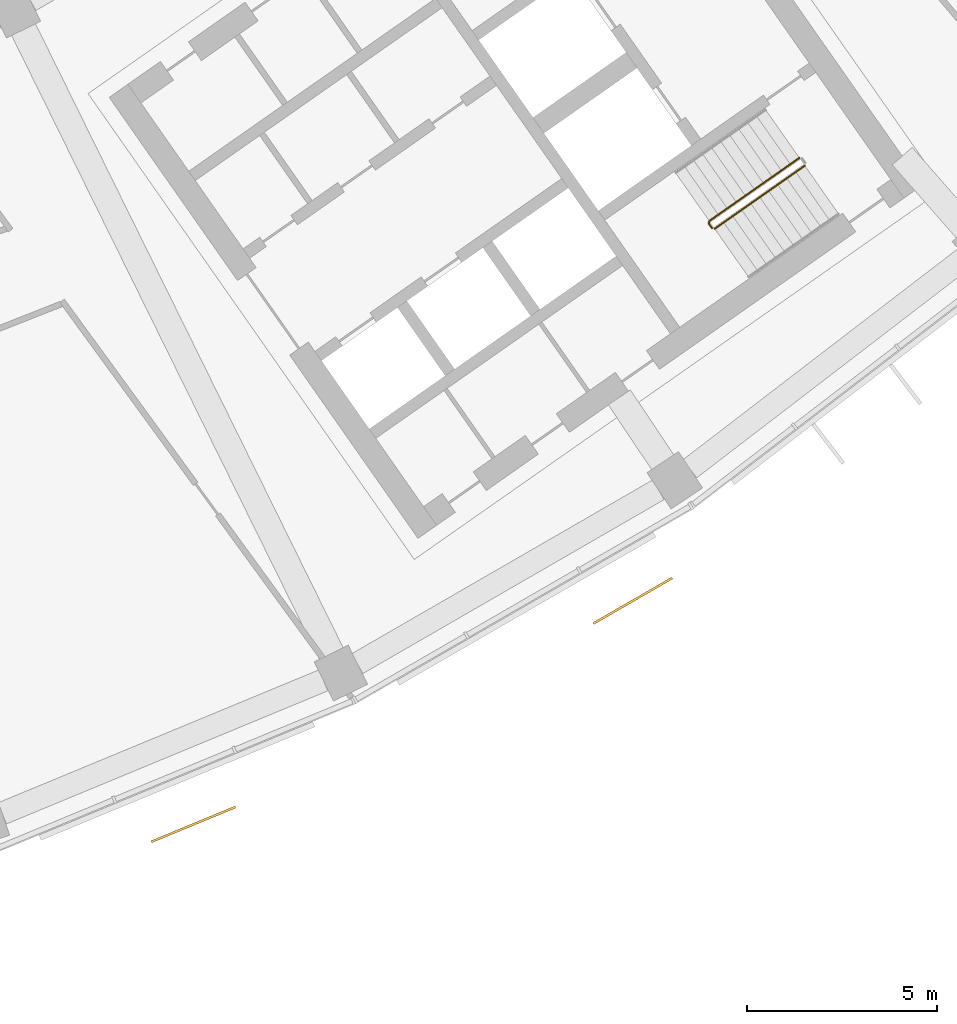
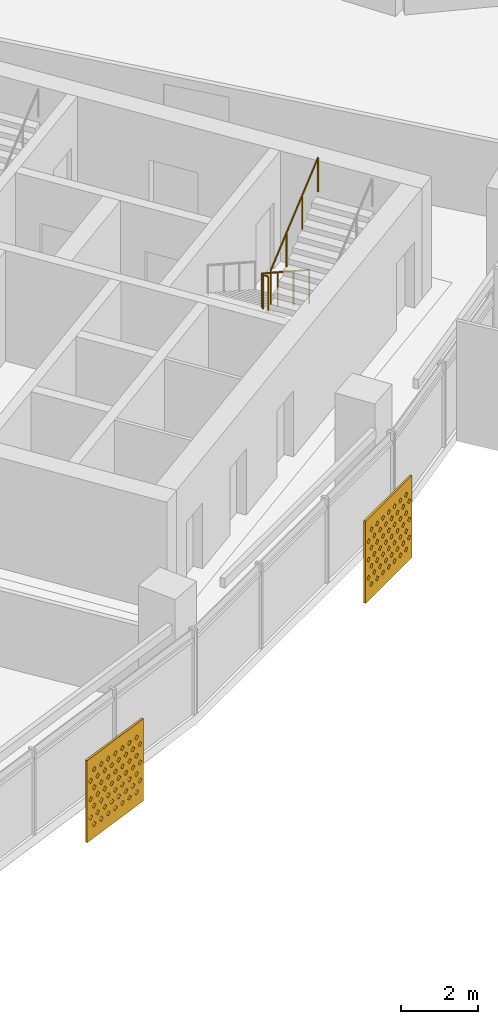
# One storey, part 26 of 27: 2 railings, 2 shading devices.
"""IFC4 building model written with IfcOpenShell, lengths in metres."""

from ifc_helpers import new_model, si_unit, direction, frame, origin, origin_2d, place, context, subcontext, project, spatial, polyline, circle, outline, extrude, material, material_profile, profile_set, type_object, element, save


model = new_model("IFC4")

# Units and contexts
model_context = context("Model", 3, precision=1e-05, world=origin(), true_north=direction((0.0, 1.0)))
body_context = subcontext(model_context, "Body", "Model", "MODEL_VIEW")
ifc_project = project(units=[si_unit("LENGTHUNIT", "METRE"), si_unit("AREAUNIT", "SQUARE_METRE"), si_unit("VOLUMEUNIT", "CUBIC_METRE"), si_unit("PLANEANGLEUNIT", "RADIAN"), si_unit("MASSUNIT", "GRAM", prefix="KILO")], contexts=[model_context])

# Site, building, storey
site_placement = place(None, origin())
site = spatial("IfcSite", under=ifc_project, at=site_placement, CompositionType="ELEMENT")
building_placement = place(site_placement, origin())
building = spatial("IfcBuilding", under=site, at=building_placement, Name="Qamariyya Broadcast Tower", CompositionType="ELEMENT")
storey_placement = place(building_placement, frame((0.0, 0.0, 222.699951171875)))
storey = spatial("IfcBuildingStorey", under=building, at=storey_placement, Name="L53", CompositionType="ELEMENT", Elevation=222.699951171875)

# Shading devices
ifc_material_1 = material(Name="Perforated glazed terracotta", Category="masonry")
ifc_material_profile = material_profile(ifc_material_1, outline(polyline([(-1.199951171875, -1.300048828125), (1.199951171875, -1.300048828125), (1.199951171875, 1.300048828125), (-1.199951171875, 1.300048828125), (-1.199951171875, -1.300048828125)]), holes=[polyline([(-0.81494140625, -0.86669921875), (-0.89990234375, -0.78173828125), (-0.985107421875, -0.86669921875), (-0.89990234375, -0.95166015625), (-0.81494140625, -0.86669921875)]), polyline([(-0.514892578125, -0.86669921875), (-0.60009765625, -0.78173828125), (-0.68505859375, -0.86669921875), (-0.60009765625, -0.95166015625), (-0.514892578125, -0.86669921875)]), polyline([(-0.215087890625, -0.86669921875), (-0.300048828125, -0.78173828125), (-0.385009765625, -0.86669921875), (-0.300048828125, -0.95166015625), (-0.215087890625, -0.86669921875)]), polyline([(0.0849609375, -0.86669921875), (0.0, -0.78173828125), (-0.0849609375, -0.86669921875), (0.0, -0.95166015625), (0.0849609375, -0.86669921875)]), polyline([(0.385009765625, -0.86669921875), (0.300048828125, -0.78173828125), (0.215087890625, -0.86669921875), (0.300048828125, -0.95166015625), (0.385009765625, -0.86669921875)]), polyline([(0.68505859375, -0.86669921875), (0.60009765625, -0.78173828125), (0.514892578125, -0.86669921875), (0.60009765625, -0.95166015625), (0.68505859375, -0.86669921875)]), polyline([(0.985107421875, -0.86669921875), (0.89990234375, -0.78173828125), (0.81494140625, -0.86669921875), (0.89990234375, -0.95166015625), (0.985107421875, -0.86669921875)]), polyline([(-0.965087890625, -0.577880859375), (-1.050048828125, -0.49267578125), (-1.135009765625, -0.577880859375), (-1.050048828125, -0.662841796875), (-0.965087890625, -0.577880859375)]), polyline([(-0.6650390625, -0.577880859375), (-0.75, -0.49267578125), (-0.8349609375, -0.577880859375), (-0.75, -0.662841796875), (-0.6650390625, -0.577880859375)]), polyline([(-0.364990234375, -0.577880859375), (-0.449951171875, -0.49267578125), (-0.534912109375, -0.577880859375), (-0.449951171875, -0.662841796875), (-0.364990234375, -0.577880859375)]), polyline([(-0.06494140625, -0.577880859375), (-0.14990234375, -0.49267578125), (-0.235107421875, -0.577880859375), (-0.14990234375, -0.662841796875), (-0.06494140625, -0.577880859375)]), polyline([(0.235107421875, -0.577880859375), (0.14990234375, -0.49267578125), (0.06494140625, -0.577880859375), (0.14990234375, -0.662841796875), (0.235107421875, -0.577880859375)]), polyline([(0.534912109375, -0.577880859375), (0.449951171875, -0.49267578125), (0.364990234375, -0.577880859375), (0.449951171875, -0.662841796875), (0.534912109375, -0.577880859375)]), polyline([(0.8349609375, -0.577880859375), (0.75, -0.49267578125), (0.6650390625, -0.577880859375), (0.75, -0.662841796875), (0.8349609375, -0.577880859375)]), polyline([(1.135009765625, -0.577880859375), (1.050048828125, -0.49267578125), (0.965087890625, -0.577880859375), (1.050048828125, -0.662841796875), (1.135009765625, -0.577880859375)]), polyline([(-0.81494140625, -0.288818359375), (-0.89990234375, -0.203857421875), (-0.985107421875, -0.288818359375), (-0.89990234375, -0.373779296875), (-0.81494140625, -0.288818359375)]), polyline([(-0.514892578125, -0.288818359375), (-0.60009765625, -0.203857421875), (-0.68505859375, -0.288818359375), (-0.60009765625, -0.373779296875), (-0.514892578125, -0.288818359375)]), polyline([(-0.215087890625, -0.288818359375), (-0.300048828125, -0.203857421875), (-0.385009765625, -0.288818359375), (-0.300048828125, -0.373779296875), (-0.215087890625, -0.288818359375)]), polyline([(0.0849609375, -0.288818359375), (0.0, -0.203857421875), (-0.0849609375, -0.288818359375), (0.0, -0.373779296875), (0.0849609375, -0.288818359375)]), polyline([(0.385009765625, -0.288818359375), (0.300048828125, -0.203857421875), (0.215087890625, -0.288818359375), (0.300048828125, -0.373779296875), (0.385009765625, -0.288818359375)]), polyline([(0.68505859375, -0.288818359375), (0.60009765625, -0.203857421875), (0.514892578125, -0.288818359375), (0.60009765625, -0.373779296875), (0.68505859375, -0.288818359375)]), polyline([(0.985107421875, -0.288818359375), (0.89990234375, -0.203857421875), (0.81494140625, -0.288818359375), (0.89990234375, -0.373779296875), (0.985107421875, -0.288818359375)]), polyline([(-0.965087890625, 0.0), (-1.050048828125, 0.0849609375), (-1.135009765625, 0.0), (-1.050048828125, -0.0849609375), (-0.965087890625, 0.0)]), polyline([(-0.6650390625, 0.0), (-0.75, 0.0849609375), (-0.8349609375, 0.0), (-0.75, -0.0849609375), (-0.6650390625, 0.0)]), polyline([(-0.364990234375, 0.0), (-0.449951171875, 0.0849609375), (-0.534912109375, 0.0), (-0.449951171875, -0.0849609375), (-0.364990234375, 0.0)]), polyline([(-0.06494140625, 0.0), (-0.14990234375, 0.0849609375), (-0.235107421875, 0.0), (-0.14990234375, -0.0849609375), (-0.06494140625, 0.0)]), polyline([(0.235107421875, 0.0), (0.14990234375, 0.0849609375), (0.06494140625, 0.0), (0.14990234375, -0.0849609375), (0.235107421875, 0.0)]), polyline([(0.534912109375, 0.0), (0.449951171875, 0.0849609375), (0.364990234375, 0.0), (0.449951171875, -0.0849609375), (0.534912109375, 0.0)]), polyline([(0.8349609375, 0.0), (0.75, 0.0849609375), (0.6650390625, 0.0), (0.75, -0.0849609375), (0.8349609375, 0.0)]), polyline([(1.135009765625, 0.0), (1.050048828125, 0.0849609375), (0.965087890625, 0.0), (1.050048828125, -0.0849609375), (1.135009765625, 0.0)]), polyline([(-0.81494140625, 0.288818359375), (-0.89990234375, 0.373779296875), (-0.985107421875, 0.288818359375), (-0.89990234375, 0.203857421875), (-0.81494140625, 0.288818359375)]), polyline([(-0.514892578125, 0.288818359375), (-0.60009765625, 0.373779296875), (-0.68505859375, 0.288818359375), (-0.60009765625, 0.203857421875), (-0.514892578125, 0.288818359375)]), polyline([(-0.215087890625, 0.288818359375), (-0.300048828125, 0.373779296875), (-0.385009765625, 0.288818359375), (-0.300048828125, 0.203857421875), (-0.215087890625, 0.288818359375)]), polyline([(0.0849609375, 0.288818359375), (0.0, 0.373779296875), (-0.0849609375, 0.288818359375), (0.0, 0.203857421875), (0.0849609375, 0.288818359375)]), polyline([(0.385009765625, 0.288818359375), (0.300048828125, 0.373779296875), (0.215087890625, 0.288818359375), (0.300048828125, 0.203857421875), (0.385009765625, 0.288818359375)]), polyline([(0.68505859375, 0.288818359375), (0.60009765625, 0.373779296875), (0.514892578125, 0.288818359375), (0.60009765625, 0.203857421875), (0.68505859375, 0.288818359375)]), polyline([(0.985107421875, 0.288818359375), (0.89990234375, 0.373779296875), (0.81494140625, 0.288818359375), (0.89990234375, 0.203857421875), (0.985107421875, 0.288818359375)]), polyline([(-0.965087890625, 0.577880859375), (-1.050048828125, 0.662841796875), (-1.135009765625, 0.577880859375), (-1.050048828125, 0.49267578125), (-0.965087890625, 0.577880859375)]), polyline([(-0.6650390625, 0.577880859375), (-0.75, 0.662841796875), (-0.8349609375, 0.577880859375), (-0.75, 0.49267578125), (-0.6650390625, 0.577880859375)]), polyline([(-0.364990234375, 0.577880859375), (-0.449951171875, 0.662841796875), (-0.534912109375, 0.577880859375), (-0.449951171875, 0.49267578125), (-0.364990234375, 0.577880859375)]), polyline([(-0.06494140625, 0.577880859375), (-0.14990234375, 0.662841796875), (-0.235107421875, 0.577880859375), (-0.14990234375, 0.49267578125), (-0.06494140625, 0.577880859375)]), polyline([(0.235107421875, 0.577880859375), (0.14990234375, 0.662841796875), (0.06494140625, 0.577880859375), (0.14990234375, 0.49267578125), (0.235107421875, 0.577880859375)]), polyline([(0.534912109375, 0.577880859375), (0.449951171875, 0.662841796875), (0.364990234375, 0.577880859375), (0.449951171875, 0.49267578125), (0.534912109375, 0.577880859375)]), polyline([(0.8349609375, 0.577880859375), (0.75, 0.662841796875), (0.6650390625, 0.577880859375), (0.75, 0.49267578125), (0.8349609375, 0.577880859375)]), polyline([(1.135009765625, 0.577880859375), (1.050048828125, 0.662841796875), (0.965087890625, 0.577880859375), (1.050048828125, 0.49267578125), (1.135009765625, 0.577880859375)]), polyline([(-0.81494140625, 0.86669921875), (-0.89990234375, 0.95166015625), (-0.985107421875, 0.86669921875), (-0.89990234375, 0.78173828125), (-0.81494140625, 0.86669921875)]), polyline([(-0.514892578125, 0.86669921875), (-0.60009765625, 0.95166015625), (-0.68505859375, 0.86669921875), (-0.60009765625, 0.78173828125), (-0.514892578125, 0.86669921875)]), polyline([(-0.215087890625, 0.86669921875), (-0.300048828125, 0.95166015625), (-0.385009765625, 0.86669921875), (-0.300048828125, 0.78173828125), (-0.215087890625, 0.86669921875)]), polyline([(0.0849609375, 0.86669921875), (0.0, 0.95166015625), (-0.0849609375, 0.86669921875), (0.0, 0.78173828125), (0.0849609375, 0.86669921875)]), polyline([(0.385009765625, 0.86669921875), (0.300048828125, 0.95166015625), (0.215087890625, 0.86669921875), (0.300048828125, 0.78173828125), (0.385009765625, 0.86669921875)]), polyline([(0.68505859375, 0.86669921875), (0.60009765625, 0.95166015625), (0.514892578125, 0.86669921875), (0.60009765625, 0.78173828125), (0.68505859375, 0.86669921875)]), polyline([(0.985107421875, 0.86669921875), (0.89990234375, 0.95166015625), (0.81494140625, 0.86669921875), (0.89990234375, 0.78173828125), (0.985107421875, 0.86669921875)])]))
ifc_profile_set = profile_set([ifc_material_profile], Name="Perforated glazed terracotta")
shading_device_type = type_object("IfcShadingDeviceType", Name="Perforated terracotta screen 2400 x 2600", PredefinedType="USERDEFINED", material=ifc_profile_set)
shading_device_1_placement = place(storey_placement, frame((30.486328125, -73.694580078125, 1.35009765625), z_axis=(0.382591441855, -0.923917630863, 0.0), x_axis=(0.923917630863, 0.382591441855, 0.0)))
element("IfcShadingDevice", 1, at=shading_device_1_placement, inside=storey, type_object=shading_device_type, Name="e-scr-L53-11-1", ObjectType="SCREEN", PredefinedType="USERDEFINED", context=body_context, shape_type="SweptSolid", body=[
    extrude(outline(polyline([(-1.199951171875, -1.300048828125), (1.199951171875, -1.300048828125), (1.199951171875, 1.300048828125), (-1.199951171875, 1.300048828125), (-1.199951171875, -1.300048828125)]), holes=[polyline([(-0.81494140625, -0.86669921875), (-0.89990234375, -0.78173828125), (-0.985107421875, -0.86669921875), (-0.89990234375, -0.95166015625), (-0.81494140625, -0.86669921875)]), polyline([(-0.514892578125, -0.86669921875), (-0.60009765625, -0.78173828125), (-0.68505859375, -0.86669921875), (-0.60009765625, -0.95166015625), (-0.514892578125, -0.86669921875)]), polyline([(-0.215087890625, -0.86669921875), (-0.300048828125, -0.78173828125), (-0.385009765625, -0.86669921875), (-0.300048828125, -0.95166015625), (-0.215087890625, -0.86669921875)]), polyline([(0.0849609375, -0.86669921875), (0.0, -0.78173828125), (-0.0849609375, -0.86669921875), (0.0, -0.95166015625), (0.0849609375, -0.86669921875)]), polyline([(0.385009765625, -0.86669921875), (0.300048828125, -0.78173828125), (0.215087890625, -0.86669921875), (0.300048828125, -0.95166015625), (0.385009765625, -0.86669921875)]), polyline([(0.68505859375, -0.86669921875), (0.60009765625, -0.78173828125), (0.514892578125, -0.86669921875), (0.60009765625, -0.95166015625), (0.68505859375, -0.86669921875)]), polyline([(0.985107421875, -0.86669921875), (0.89990234375, -0.78173828125), (0.81494140625, -0.86669921875), (0.89990234375, -0.95166015625), (0.985107421875, -0.86669921875)]), polyline([(-0.965087890625, -0.577880859375), (-1.050048828125, -0.49267578125), (-1.135009765625, -0.577880859375), (-1.050048828125, -0.662841796875), (-0.965087890625, -0.577880859375)]), polyline([(-0.6650390625, -0.577880859375), (-0.75, -0.49267578125), (-0.8349609375, -0.577880859375), (-0.75, -0.662841796875), (-0.6650390625, -0.577880859375)]), polyline([(-0.364990234375, -0.577880859375), (-0.449951171875, -0.49267578125), (-0.534912109375, -0.577880859375), (-0.449951171875, -0.662841796875), (-0.364990234375, -0.577880859375)]), polyline([(-0.06494140625, -0.577880859375), (-0.14990234375, -0.49267578125), (-0.235107421875, -0.577880859375), (-0.14990234375, -0.662841796875), (-0.06494140625, -0.577880859375)]), polyline([(0.235107421875, -0.577880859375), (0.14990234375, -0.49267578125), (0.06494140625, -0.577880859375), (0.14990234375, -0.662841796875), (0.235107421875, -0.577880859375)]), polyline([(0.534912109375, -0.577880859375), (0.449951171875, -0.49267578125), (0.364990234375, -0.577880859375), (0.449951171875, -0.662841796875), (0.534912109375, -0.577880859375)]), polyline([(0.8349609375, -0.577880859375), (0.75, -0.49267578125), (0.6650390625, -0.577880859375), (0.75, -0.662841796875), (0.8349609375, -0.577880859375)]), polyline([(1.135009765625, -0.577880859375), (1.050048828125, -0.49267578125), (0.965087890625, -0.577880859375), (1.050048828125, -0.662841796875), (1.135009765625, -0.577880859375)]), polyline([(-0.81494140625, -0.288818359375), (-0.89990234375, -0.203857421875), (-0.985107421875, -0.288818359375), (-0.89990234375, -0.373779296875), (-0.81494140625, -0.288818359375)]), polyline([(-0.514892578125, -0.288818359375), (-0.60009765625, -0.203857421875), (-0.68505859375, -0.288818359375), (-0.60009765625, -0.373779296875), (-0.514892578125, -0.288818359375)]), polyline([(-0.215087890625, -0.288818359375), (-0.300048828125, -0.203857421875), (-0.385009765625, -0.288818359375), (-0.300048828125, -0.373779296875), (-0.215087890625, -0.288818359375)]), polyline([(0.0849609375, -0.288818359375), (0.0, -0.203857421875), (-0.0849609375, -0.288818359375), (0.0, -0.373779296875), (0.0849609375, -0.288818359375)]), polyline([(0.385009765625, -0.288818359375), (0.300048828125, -0.203857421875), (0.215087890625, -0.288818359375), (0.300048828125, -0.373779296875), (0.385009765625, -0.288818359375)]), polyline([(0.68505859375, -0.288818359375), (0.60009765625, -0.203857421875), (0.514892578125, -0.288818359375), (0.60009765625, -0.373779296875), (0.68505859375, -0.288818359375)]), polyline([(0.985107421875, -0.288818359375), (0.89990234375, -0.203857421875), (0.81494140625, -0.288818359375), (0.89990234375, -0.373779296875), (0.985107421875, -0.288818359375)]), polyline([(-0.965087890625, 0.0), (-1.050048828125, 0.0849609375), (-1.135009765625, 0.0), (-1.050048828125, -0.0849609375), (-0.965087890625, 0.0)]), polyline([(-0.6650390625, 0.0), (-0.75, 0.0849609375), (-0.8349609375, 0.0), (-0.75, -0.0849609375), (-0.6650390625, 0.0)]), polyline([(-0.364990234375, 0.0), (-0.449951171875, 0.0849609375), (-0.534912109375, 0.0), (-0.449951171875, -0.0849609375), (-0.364990234375, 0.0)]), polyline([(-0.06494140625, 0.0), (-0.14990234375, 0.0849609375), (-0.235107421875, 0.0), (-0.14990234375, -0.0849609375), (-0.06494140625, 0.0)]), polyline([(0.235107421875, 0.0), (0.14990234375, 0.0849609375), (0.06494140625, 0.0), (0.14990234375, -0.0849609375), (0.235107421875, 0.0)]), polyline([(0.534912109375, 0.0), (0.449951171875, 0.0849609375), (0.364990234375, 0.0), (0.449951171875, -0.0849609375), (0.534912109375, 0.0)]), polyline([(0.8349609375, 0.0), (0.75, 0.0849609375), (0.6650390625, 0.0), (0.75, -0.0849609375), (0.8349609375, 0.0)]), polyline([(1.135009765625, 0.0), (1.050048828125, 0.0849609375), (0.965087890625, 0.0), (1.050048828125, -0.0849609375), (1.135009765625, 0.0)]), polyline([(-0.81494140625, 0.288818359375), (-0.89990234375, 0.373779296875), (-0.985107421875, 0.288818359375), (-0.89990234375, 0.203857421875), (-0.81494140625, 0.288818359375)]), polyline([(-0.514892578125, 0.288818359375), (-0.60009765625, 0.373779296875), (-0.68505859375, 0.288818359375), (-0.60009765625, 0.203857421875), (-0.514892578125, 0.288818359375)]), polyline([(-0.215087890625, 0.288818359375), (-0.300048828125, 0.373779296875), (-0.385009765625, 0.288818359375), (-0.300048828125, 0.203857421875), (-0.215087890625, 0.288818359375)]), polyline([(0.0849609375, 0.288818359375), (0.0, 0.373779296875), (-0.0849609375, 0.288818359375), (0.0, 0.203857421875), (0.0849609375, 0.288818359375)]), polyline([(0.385009765625, 0.288818359375), (0.300048828125, 0.373779296875), (0.215087890625, 0.288818359375), (0.300048828125, 0.203857421875), (0.385009765625, 0.288818359375)]), polyline([(0.68505859375, 0.288818359375), (0.60009765625, 0.373779296875), (0.514892578125, 0.288818359375), (0.60009765625, 0.203857421875), (0.68505859375, 0.288818359375)]), polyline([(0.985107421875, 0.288818359375), (0.89990234375, 0.373779296875), (0.81494140625, 0.288818359375), (0.89990234375, 0.203857421875), (0.985107421875, 0.288818359375)]), polyline([(-0.965087890625, 0.577880859375), (-1.050048828125, 0.662841796875), (-1.135009765625, 0.577880859375), (-1.050048828125, 0.49267578125), (-0.965087890625, 0.577880859375)]), polyline([(-0.6650390625, 0.577880859375), (-0.75, 0.662841796875), (-0.8349609375, 0.577880859375), (-0.75, 0.49267578125), (-0.6650390625, 0.577880859375)]), polyline([(-0.364990234375, 0.577880859375), (-0.449951171875, 0.662841796875), (-0.534912109375, 0.577880859375), (-0.449951171875, 0.49267578125), (-0.364990234375, 0.577880859375)]), polyline([(-0.06494140625, 0.577880859375), (-0.14990234375, 0.662841796875), (-0.235107421875, 0.577880859375), (-0.14990234375, 0.49267578125), (-0.06494140625, 0.577880859375)]), polyline([(0.235107421875, 0.577880859375), (0.14990234375, 0.662841796875), (0.06494140625, 0.577880859375), (0.14990234375, 0.49267578125), (0.235107421875, 0.577880859375)]), polyline([(0.534912109375, 0.577880859375), (0.449951171875, 0.662841796875), (0.364990234375, 0.577880859375), (0.449951171875, 0.49267578125), (0.534912109375, 0.577880859375)]), polyline([(0.8349609375, 0.577880859375), (0.75, 0.662841796875), (0.6650390625, 0.577880859375), (0.75, 0.49267578125), (0.8349609375, 0.577880859375)]), polyline([(1.135009765625, 0.577880859375), (1.050048828125, 0.662841796875), (0.965087890625, 0.577880859375), (1.050048828125, 0.49267578125), (1.135009765625, 0.577880859375)]), polyline([(-0.81494140625, 0.86669921875), (-0.89990234375, 0.95166015625), (-0.985107421875, 0.86669921875), (-0.89990234375, 0.78173828125), (-0.81494140625, 0.86669921875)]), polyline([(-0.514892578125, 0.86669921875), (-0.60009765625, 0.95166015625), (-0.68505859375, 0.86669921875), (-0.60009765625, 0.78173828125), (-0.514892578125, 0.86669921875)]), polyline([(-0.215087890625, 0.86669921875), (-0.300048828125, 0.95166015625), (-0.385009765625, 0.86669921875), (-0.300048828125, 0.78173828125), (-0.215087890625, 0.86669921875)]), polyline([(0.0849609375, 0.86669921875), (0.0, 0.95166015625), (-0.0849609375, 0.86669921875), (0.0, 0.78173828125), (0.0849609375, 0.86669921875)]), polyline([(0.385009765625, 0.86669921875), (0.300048828125, 0.95166015625), (0.215087890625, 0.86669921875), (0.300048828125, 0.78173828125), (0.385009765625, 0.86669921875)]), polyline([(0.68505859375, 0.86669921875), (0.60009765625, 0.95166015625), (0.514892578125, 0.86669921875), (0.60009765625, 0.78173828125), (0.68505859375, 0.86669921875)]), polyline([(0.985107421875, 0.86669921875), (0.89990234375, 0.95166015625), (0.81494140625, 0.86669921875), (0.89990234375, 0.78173828125), (0.985107421875, 0.86669921875)])]), origin(), (0.0, 0.0, 1.0), 0.06005859375),
])
shading_device_2_placement = place(storey_placement, frame((42.072021484375, -67.798828125, 1.35009765625), z_axis=(0.500074377092, -0.865982457891, 0.0), x_axis=(0.865982457891, 0.500074377092, 0.0)))
element("IfcShadingDevice", 2, at=shading_device_2_placement, inside=storey, type_object=shading_device_type, Name="e-scr-L53-12-2", ObjectType="SCREEN", PredefinedType="USERDEFINED", context=body_context, shape_type="SweptSolid", body=[
    extrude(outline(polyline([(-1.199951171875, -1.300048828125), (1.199951171875, -1.300048828125), (1.199951171875, 1.300048828125), (-1.199951171875, 1.300048828125), (-1.199951171875, -1.300048828125)]), holes=[polyline([(-0.81494140625, -0.86669921875), (-0.89990234375, -0.78173828125), (-0.985107421875, -0.86669921875), (-0.89990234375, -0.95166015625), (-0.81494140625, -0.86669921875)]), polyline([(-0.514892578125, -0.86669921875), (-0.60009765625, -0.78173828125), (-0.68505859375, -0.86669921875), (-0.60009765625, -0.95166015625), (-0.514892578125, -0.86669921875)]), polyline([(-0.215087890625, -0.86669921875), (-0.300048828125, -0.78173828125), (-0.385009765625, -0.86669921875), (-0.300048828125, -0.95166015625), (-0.215087890625, -0.86669921875)]), polyline([(0.0849609375, -0.86669921875), (0.0, -0.78173828125), (-0.0849609375, -0.86669921875), (0.0, -0.95166015625), (0.0849609375, -0.86669921875)]), polyline([(0.385009765625, -0.86669921875), (0.300048828125, -0.78173828125), (0.215087890625, -0.86669921875), (0.300048828125, -0.95166015625), (0.385009765625, -0.86669921875)]), polyline([(0.68505859375, -0.86669921875), (0.60009765625, -0.78173828125), (0.514892578125, -0.86669921875), (0.60009765625, -0.95166015625), (0.68505859375, -0.86669921875)]), polyline([(0.985107421875, -0.86669921875), (0.89990234375, -0.78173828125), (0.81494140625, -0.86669921875), (0.89990234375, -0.95166015625), (0.985107421875, -0.86669921875)]), polyline([(-0.965087890625, -0.577880859375), (-1.050048828125, -0.49267578125), (-1.135009765625, -0.577880859375), (-1.050048828125, -0.662841796875), (-0.965087890625, -0.577880859375)]), polyline([(-0.6650390625, -0.577880859375), (-0.75, -0.49267578125), (-0.8349609375, -0.577880859375), (-0.75, -0.662841796875), (-0.6650390625, -0.577880859375)]), polyline([(-0.364990234375, -0.577880859375), (-0.449951171875, -0.49267578125), (-0.534912109375, -0.577880859375), (-0.449951171875, -0.662841796875), (-0.364990234375, -0.577880859375)]), polyline([(-0.06494140625, -0.577880859375), (-0.14990234375, -0.49267578125), (-0.235107421875, -0.577880859375), (-0.14990234375, -0.662841796875), (-0.06494140625, -0.577880859375)]), polyline([(0.235107421875, -0.577880859375), (0.14990234375, -0.49267578125), (0.06494140625, -0.577880859375), (0.14990234375, -0.662841796875), (0.235107421875, -0.577880859375)]), polyline([(0.534912109375, -0.577880859375), (0.449951171875, -0.49267578125), (0.364990234375, -0.577880859375), (0.449951171875, -0.662841796875), (0.534912109375, -0.577880859375)]), polyline([(0.8349609375, -0.577880859375), (0.75, -0.49267578125), (0.6650390625, -0.577880859375), (0.75, -0.662841796875), (0.8349609375, -0.577880859375)]), polyline([(1.135009765625, -0.577880859375), (1.050048828125, -0.49267578125), (0.965087890625, -0.577880859375), (1.050048828125, -0.662841796875), (1.135009765625, -0.577880859375)]), polyline([(-0.81494140625, -0.288818359375), (-0.89990234375, -0.203857421875), (-0.985107421875, -0.288818359375), (-0.89990234375, -0.373779296875), (-0.81494140625, -0.288818359375)]), polyline([(-0.514892578125, -0.288818359375), (-0.60009765625, -0.203857421875), (-0.68505859375, -0.288818359375), (-0.60009765625, -0.373779296875), (-0.514892578125, -0.288818359375)]), polyline([(-0.215087890625, -0.288818359375), (-0.300048828125, -0.203857421875), (-0.385009765625, -0.288818359375), (-0.300048828125, -0.373779296875), (-0.215087890625, -0.288818359375)]), polyline([(0.0849609375, -0.288818359375), (0.0, -0.203857421875), (-0.0849609375, -0.288818359375), (0.0, -0.373779296875), (0.0849609375, -0.288818359375)]), polyline([(0.385009765625, -0.288818359375), (0.300048828125, -0.203857421875), (0.215087890625, -0.288818359375), (0.300048828125, -0.373779296875), (0.385009765625, -0.288818359375)]), polyline([(0.68505859375, -0.288818359375), (0.60009765625, -0.203857421875), (0.514892578125, -0.288818359375), (0.60009765625, -0.373779296875), (0.68505859375, -0.288818359375)]), polyline([(0.985107421875, -0.288818359375), (0.89990234375, -0.203857421875), (0.81494140625, -0.288818359375), (0.89990234375, -0.373779296875), (0.985107421875, -0.288818359375)]), polyline([(-0.965087890625, 0.0), (-1.050048828125, 0.0849609375), (-1.135009765625, 0.0), (-1.050048828125, -0.0849609375), (-0.965087890625, 0.0)]), polyline([(-0.6650390625, 0.0), (-0.75, 0.0849609375), (-0.8349609375, 0.0), (-0.75, -0.0849609375), (-0.6650390625, 0.0)]), polyline([(-0.364990234375, 0.0), (-0.449951171875, 0.0849609375), (-0.534912109375, 0.0), (-0.449951171875, -0.0849609375), (-0.364990234375, 0.0)]), polyline([(-0.06494140625, 0.0), (-0.14990234375, 0.0849609375), (-0.235107421875, 0.0), (-0.14990234375, -0.0849609375), (-0.06494140625, 0.0)]), polyline([(0.235107421875, 0.0), (0.14990234375, 0.0849609375), (0.06494140625, 0.0), (0.14990234375, -0.0849609375), (0.235107421875, 0.0)]), polyline([(0.534912109375, 0.0), (0.449951171875, 0.0849609375), (0.364990234375, 0.0), (0.449951171875, -0.0849609375), (0.534912109375, 0.0)]), polyline([(0.8349609375, 0.0), (0.75, 0.0849609375), (0.6650390625, 0.0), (0.75, -0.0849609375), (0.8349609375, 0.0)]), polyline([(1.135009765625, 0.0), (1.050048828125, 0.0849609375), (0.965087890625, 0.0), (1.050048828125, -0.0849609375), (1.135009765625, 0.0)]), polyline([(-0.81494140625, 0.288818359375), (-0.89990234375, 0.373779296875), (-0.985107421875, 0.288818359375), (-0.89990234375, 0.203857421875), (-0.81494140625, 0.288818359375)]), polyline([(-0.514892578125, 0.288818359375), (-0.60009765625, 0.373779296875), (-0.68505859375, 0.288818359375), (-0.60009765625, 0.203857421875), (-0.514892578125, 0.288818359375)]), polyline([(-0.215087890625, 0.288818359375), (-0.300048828125, 0.373779296875), (-0.385009765625, 0.288818359375), (-0.300048828125, 0.203857421875), (-0.215087890625, 0.288818359375)]), polyline([(0.0849609375, 0.288818359375), (0.0, 0.373779296875), (-0.0849609375, 0.288818359375), (0.0, 0.203857421875), (0.0849609375, 0.288818359375)]), polyline([(0.385009765625, 0.288818359375), (0.300048828125, 0.373779296875), (0.215087890625, 0.288818359375), (0.300048828125, 0.203857421875), (0.385009765625, 0.288818359375)]), polyline([(0.68505859375, 0.288818359375), (0.60009765625, 0.373779296875), (0.514892578125, 0.288818359375), (0.60009765625, 0.203857421875), (0.68505859375, 0.288818359375)]), polyline([(0.985107421875, 0.288818359375), (0.89990234375, 0.373779296875), (0.81494140625, 0.288818359375), (0.89990234375, 0.203857421875), (0.985107421875, 0.288818359375)]), polyline([(-0.965087890625, 0.577880859375), (-1.050048828125, 0.662841796875), (-1.135009765625, 0.577880859375), (-1.050048828125, 0.49267578125), (-0.965087890625, 0.577880859375)]), polyline([(-0.6650390625, 0.577880859375), (-0.75, 0.662841796875), (-0.8349609375, 0.577880859375), (-0.75, 0.49267578125), (-0.6650390625, 0.577880859375)]), polyline([(-0.364990234375, 0.577880859375), (-0.449951171875, 0.662841796875), (-0.534912109375, 0.577880859375), (-0.449951171875, 0.49267578125), (-0.364990234375, 0.577880859375)]), polyline([(-0.06494140625, 0.577880859375), (-0.14990234375, 0.662841796875), (-0.235107421875, 0.577880859375), (-0.14990234375, 0.49267578125), (-0.06494140625, 0.577880859375)]), polyline([(0.235107421875, 0.577880859375), (0.14990234375, 0.662841796875), (0.06494140625, 0.577880859375), (0.14990234375, 0.49267578125), (0.235107421875, 0.577880859375)]), polyline([(0.534912109375, 0.577880859375), (0.449951171875, 0.662841796875), (0.364990234375, 0.577880859375), (0.449951171875, 0.49267578125), (0.534912109375, 0.577880859375)]), polyline([(0.8349609375, 0.577880859375), (0.75, 0.662841796875), (0.6650390625, 0.577880859375), (0.75, 0.49267578125), (0.8349609375, 0.577880859375)]), polyline([(1.135009765625, 0.577880859375), (1.050048828125, 0.662841796875), (0.965087890625, 0.577880859375), (1.050048828125, 0.49267578125), (1.135009765625, 0.577880859375)]), polyline([(-0.81494140625, 0.86669921875), (-0.89990234375, 0.95166015625), (-0.985107421875, 0.86669921875), (-0.89990234375, 0.78173828125), (-0.81494140625, 0.86669921875)]), polyline([(-0.514892578125, 0.86669921875), (-0.60009765625, 0.95166015625), (-0.68505859375, 0.86669921875), (-0.60009765625, 0.78173828125), (-0.514892578125, 0.86669921875)]), polyline([(-0.215087890625, 0.86669921875), (-0.300048828125, 0.95166015625), (-0.385009765625, 0.86669921875), (-0.300048828125, 0.78173828125), (-0.215087890625, 0.86669921875)]), polyline([(0.0849609375, 0.86669921875), (0.0, 0.95166015625), (-0.0849609375, 0.86669921875), (0.0, 0.78173828125), (0.0849609375, 0.86669921875)]), polyline([(0.385009765625, 0.86669921875), (0.300048828125, 0.95166015625), (0.215087890625, 0.86669921875), (0.300048828125, 0.78173828125), (0.385009765625, 0.86669921875)]), polyline([(0.68505859375, 0.86669921875), (0.60009765625, 0.95166015625), (0.514892578125, 0.86669921875), (0.60009765625, 0.78173828125), (0.68505859375, 0.86669921875)]), polyline([(0.985107421875, 0.86669921875), (0.89990234375, 0.95166015625), (0.81494140625, 0.86669921875), (0.89990234375, 0.78173828125), (0.985107421875, 0.86669921875)])]), origin(), (0.0, 0.0, 1.0), 0.06005859375),
])

# Railings
ifc_material_2 = material(Name="Painted steel", Category="steel")
railing_type = type_object("IfcRailingType", Name="Stair guard", PredefinedType="GUARDRAIL", material=ifc_material_2)
railing_1_placement = place(storey_placement, frame((46.48095703125, -56.14306640625, 0.1728515625)))
element("IfcRailing", 3, at=railing_1_placement, inside=storey, type_object=railing_type, Name="L53 ST-E1 stair guard 1", PredefinedType="GUARDRAIL", context=body_context, shape_type="SweptSolid", body=[
    extrude(circle(Radius=0.02392578125, at=origin_2d()), frame((0.0, 0.0, 1.076171875), z_axis=(-0.703770094002, -0.492783725636, 0.511734163933), x_axis=(0.573575343427, -0.819152809562, 0.0)), (0.0, 0.0, 1.0), 3.37548828125),
    extrude(circle(Radius=0.02392578125, at=origin_2d()), frame((-2.37548828125, -1.663330078125, 2.80322265625), z_axis=(-0.176149252506, -0.984363469884, 0.0), x_axis=(0.984363469884, -0.176149252506, 0.0)), (0.0, 0.0, 1.0), 0.07080078125),
    extrude(circle(Radius=0.02392578125, at=origin_2d()), frame((-2.387939453125, -1.73291015625, 2.80322265625), z_axis=(0.574444878118, -0.818543268254, 0.0), x_axis=(0.818543268254, 0.574444878118, 0.0)), (0.0, 0.0, 1.0), 0.150146484375),
    extrude(circle(Radius=0.02099609375, at=origin_2d()), origin(), (0.0, 0.0, 1.0), 1.052001953125),
    extrude(circle(Radius=0.02099609375, at=origin_2d()), frame((-0.791748046875, -0.554443359375, 0.57568359375)), (0.0, 0.0, 1.0), 1.052001953125),
    extrude(circle(Radius=0.02099609375, at=origin_2d()), frame((-1.583740234375, -1.10888671875, 1.151611328125)), (0.0, 0.0, 1.0), 1.052001953125),
    extrude(circle(Radius=0.02099609375, at=origin_2d()), frame((-2.37548828125, -1.663330078125, 1.727294921875)), (0.0, 0.0, 1.0), 1.052001953125),
    extrude(circle(Radius=0.02099609375, at=origin_2d()), frame((-2.387939453125, -1.73291015625, 1.727294921875)), (0.0, 0.0, 1.0), 1.052001953125),
    extrude(circle(Radius=0.02099609375, at=origin_2d()), frame((-2.3017578125, -1.855712890625, 1.727294921875)), (0.0, 0.0, 1.0), 1.052001953125),
])
railing_2_placement = place(storey_placement, frame((44.248779296875, -58.01123046875, 2.07275390625)))
element("IfcRailing", 4, at=railing_2_placement, inside=storey, type_object=railing_type, Name="L53 ST-E1 stair guard 2", PredefinedType="GUARDRAIL", context=body_context, shape_type="SweptSolid", body=[
    extrude(circle(Radius=0.02392578125, at=origin_2d()), frame((0.0, 0.0, 1.076171875), z_axis=(0.703745009021, 0.492838488332, 0.511715923826), x_axis=(-0.573631830683, 0.819113253969, 0.0)), (0.0, 0.0, 1.0), 3.37548828125),
    extrude(circle(Radius=0.02099609375, at=origin_2d()), origin(), (0.0, 0.0, 1.0), 1.052001953125),
    extrude(circle(Radius=0.02099609375, at=origin_2d()), frame((0.791748046875, 0.554443359375, 0.57568359375)), (0.0, 0.0, 1.0), 1.052001953125),
    extrude(circle(Radius=0.02099609375, at=origin_2d()), frame((1.583740234375, 1.109130859375, 1.151611328125)), (0.0, 0.0, 1.0), 1.052001953125),
    extrude(circle(Radius=0.02099609375, at=origin_2d()), frame((2.37548828125, 1.66357421875, 1.727294921875)), (0.0, 0.0, 1.0), 1.052001953125),
])

save(model, "model.ifc")
